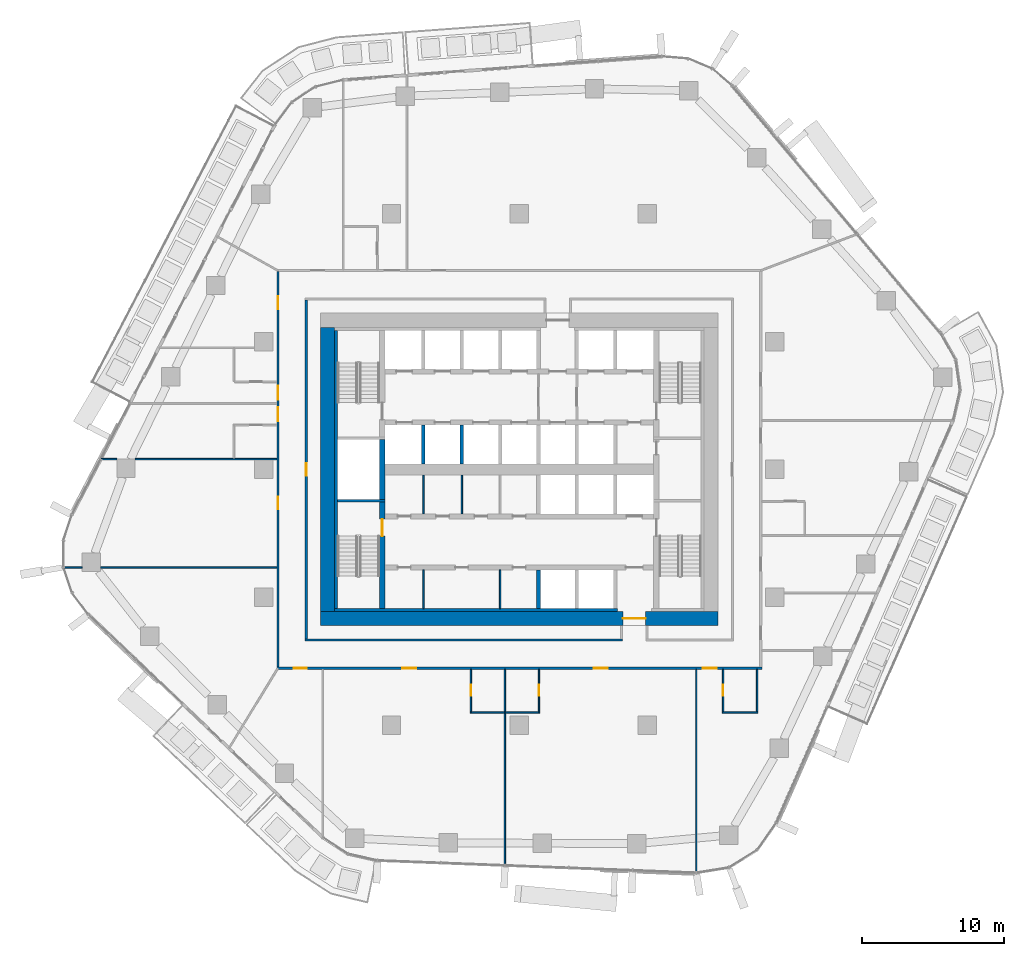
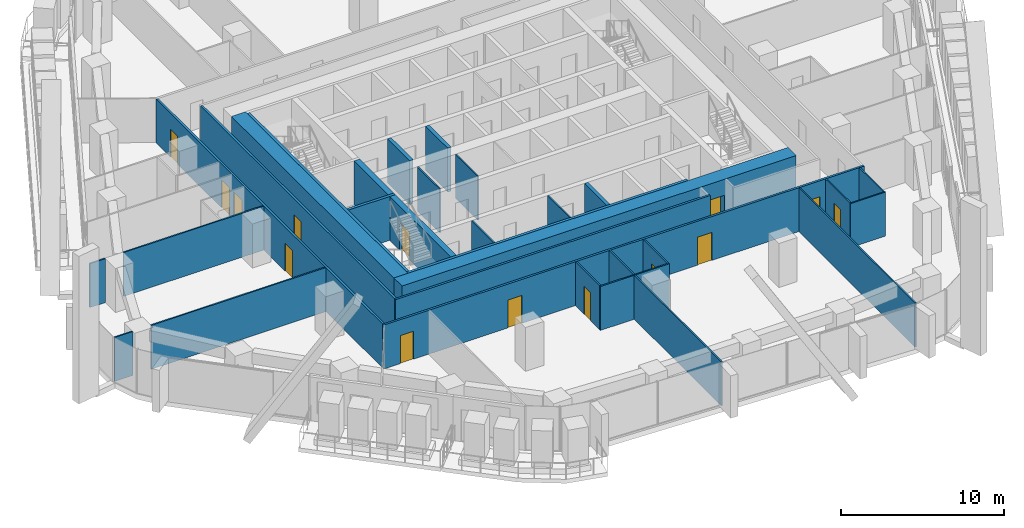
# One storey, part 12 of 24: 31 walls, 14 doors, 14 openings.
"""IFC4 building model written with IfcOpenShell, lengths in metres."""

from ifc_helpers import new_model, si_unit, direction, frame, frame_2d, origin, place, context, subcontext, project, spatial, rectangle, extrude, material, layer, layer_set, type_object, element, fill, save


model = new_model("IFC4")

# Units and contexts
model_context = context("Model", 3, precision=1e-05, world=origin(), true_north=direction((0.0, 1.0)))
body_context = subcontext(model_context, "Body", "Model", "MODEL_VIEW")
ifc_project = project(units=[si_unit("LENGTHUNIT", "METRE"), si_unit("AREAUNIT", "SQUARE_METRE"), si_unit("VOLUMEUNIT", "CUBIC_METRE"), si_unit("PLANEANGLEUNIT", "RADIAN"), si_unit("MASSUNIT", "GRAM", prefix="KILO")], contexts=[model_context])

# Site, building, storey
site_placement = place(None, origin())
site = spatial("IfcSite", under=ifc_project, at=site_placement, CompositionType="ELEMENT")
building_placement = place(site_placement, origin())
building = spatial("IfcBuilding", under=site, at=building_placement, Name="Dongbaek Canopy Tower", CompositionType="ELEMENT")
storey_placement = place(building_placement, frame((0.0, 0.0, 128.5)))
storey = spatial("IfcBuildingStorey", under=building, at=storey_placement, Name="L28", CompositionType="ELEMENT", Elevation=128.5)

# Wall, opening, door
ifc_material_1 = material(Name="Concrete C60/75", Category="concrete")
ifc_layer_1 = layer(ifc_material_1, 1.0)
ifc_layer_set_1 = layer_set([ifc_layer_1], Name="Core outer wall 1000 Concrete C60/75")
wall_type_1 = type_object("IfcWallType", Name="Core outer wall 1000 Concrete C60/75", PredefinedType="SHEAR", material=ifc_layer_set_1)
wall_1_placement = place(storey_placement, frame((14.0, -10.5, 0.0), z_axis=(0.0, 0.0, 1.0), x_axis=(-1.0, 0.0, 0.0)))
wall_1 = element("IfcWall", 1, at=wall_1_placement, inside=storey, type_object=wall_type_1, Name="Core wall", PredefinedType="SHEAR", context=body_context, shape_type="SweptSolid", body=[
    extrude(rectangle(XDim=28.0, YDim=1.0, at=frame_2d((14.0, 0.0))), origin(), (0.0, 0.0, 1.0), 3.300048828125),
])
opening_1_placement = place(wall_1_placement, frame((5.10009765625, 0.0, 0.0)))
opening_1 = element("IfcOpeningElement", 2, at=opening_1_placement, cuts=wall_1, Name="Opening L28-D042", PredefinedType="OPENING", context=body_context, shape_type="SweptSolid", body=[
    extrude(rectangle(XDim=1.60009765625, YDim=2.10009765625, at=frame_2d((0.800048828125, 1.050048828125))), frame((0.0, 0.510009765625, 0.0), z_axis=(0.0, -1.0, 0.0), x_axis=(1.0, 0.0, 0.0)), (0.0, 0.0, 1.0), 1.02001953125),
])
ifc_material_2 = material(Name="Steel", Category="steel")
door_type_1 = type_object("IfcDoorType", Name="Core exit door 1600 x 2100", OperationType="DOUBLE_DOOR_SINGLE_SWING", PredefinedType="DOOR", material=ifc_material_2)
door_1_placement = place(opening_1_placement, origin())
door_1 = element("IfcDoor", 3, at=door_1_placement, inside=storey, type_object=door_type_1, Name="Core exit door", OperationType="DOUBLE_DOOR_SINGLE_SWING", OverallHeight=2.10009765625, OverallWidth=1.60009765625, PredefinedType="DOOR", context=body_context, shape_type="SweptSolid", body=[
    extrude(rectangle(XDim=1.60009765625, YDim=2.10009765625, at=frame_2d((0.800048828125, 1.050048828125))), frame((0.0, 0.02490234375, 0.0), z_axis=(0.0, -1.0, 0.0), x_axis=(1.0, 0.0, 0.0)), (0.0, 0.0, 1.0), 0.050048828125),
])
fill(opening_1, door_1)

# Walls
wall_2_placement = place(storey_placement, frame((-13.5, -10.0, 0.0), z_axis=(0.0, 0.0, 1.0), x_axis=(0.0, 1.0, 0.0)))
element("IfcWall", 4, at=wall_2_placement, inside=storey, type_object=wall_type_1, Name="Core wall", PredefinedType="SHEAR", context=body_context, shape_type="SweptSolid", body=[
    extrude(rectangle(XDim=20.0, YDim=1.0, at=frame_2d((10.0, 0.0))), origin(), (0.0, 0.0, 1.0), 3.300048828125),
])
ifc_material_3 = material(Name="Concrete C60/75", Category="concrete")
ifc_layer_2 = layer(ifc_material_3, 0.199951171875)
ifc_layer_set_2 = layer_set([ifc_layer_2], Name="Core wall lining 200 Concrete C60/75")
wall_type_2 = type_object("IfcWallType", Name="Core wall lining 200 Concrete C60/75", PredefinedType="SHEAR", material=ifc_layer_set_2)
wall_3_placement = place(storey_placement, frame((6.89990234375, -9.89990234375, 0.0), z_axis=(0.0, 0.0, 1.0), x_axis=(-1.0, 0.0, 0.0)))
element("IfcWall", 5, at=wall_3_placement, inside=storey, type_object=wall_type_2, Name="Core wall lining", PredefinedType="SHEAR", context=body_context, shape_type="SweptSolid", body=[
    extrude(rectangle(XDim=19.89990234375, YDim=0.199951171875, at=frame_2d((9.949951171875, 0.0))), origin(), (0.0, 0.0, 1.0), 3.300048828125),
])
wall_4_placement = place(storey_placement, frame((-12.89990234375, -9.800048828125, 0.0), z_axis=(0.0, 0.0, 1.0), x_axis=(0.0, 1.0, 0.0)))
element("IfcWall", 6, at=wall_4_placement, inside=storey, type_object=wall_type_2, Name="Core wall lining", PredefinedType="SHEAR", context=body_context, shape_type="SweptSolid", body=[
    extrude(rectangle(XDim=19.60009765625, YDim=0.199951171875, at=frame_2d((9.800048828125, 0.0))), origin(), (0.0, 0.0, 1.0), 3.300048828125),
])

# Wall, openings, doors
ifc_material_4 = material(Name="Gypsum board partition, steel stud, 2 x 15 mm fire board", Category="steel")
ifc_layer_3 = layer(ifc_material_4, 0.14990234375)
ifc_layer_set_3 = layer_set([ifc_layer_3], Name="Fire-rated partition 150 gypsum board")
wall_type_3 = type_object("IfcWallType", Name="Fire-rated partition 150 gypsum board", PredefinedType="PARTITIONING", material=ifc_layer_set_3)
wall_5_placement = place(storey_placement, frame((17.074951171875, -14.0, 0.0), z_axis=(0.0, 0.0, 1.0), x_axis=(-1.0, 0.0, 0.0)))
wall_5 = element("IfcWall", 7, at=wall_5_placement, inside=storey, type_object=wall_type_3, Name="Corridor partition", PredefinedType="PARTITIONING", context=body_context, shape_type="SweptSolid", body=[
    extrude(rectangle(XDim=34.14990234375, YDim=0.14990234375, at=frame_2d((17.074951171875, 0.0))), origin(), (0.0, 0.0, 1.0), 3.300048828125),
])
opening_2_placement = place(wall_5_placement, frame((32.0458984375, 0.0, 0.0)))
opening_2 = element("IfcOpeningElement", 8, at=opening_2_placement, cuts=wall_5, Name="Opening L28-D002", PredefinedType="OPENING", context=body_context, shape_type="SweptSolid", body=[
    extrude(rectangle(XDim=0.89990234375, YDim=2.10009765625, at=frame_2d((0.449951171875, 1.050048828125))), frame((0.0, 0.0849609375, 0.0), z_axis=(0.0, -1.0, 0.0), x_axis=(1.0, 0.0, 0.0)), (0.0, 0.0, 1.0), 0.169921875),
])
opening_3_placement = place(wall_5_placement, frame((24.3203125, 0.0, 0.0)))
opening_3 = element("IfcOpeningElement", 9, at=opening_3_placement, cuts=wall_5, Name="Opening L28-D004", PredefinedType="OPENING", context=body_context, shape_type="SweptSolid", body=[
    extrude(rectangle(XDim=1.0, YDim=2.10009765625, at=frame_2d((0.5, 1.050048828125))), frame((0.0, 0.0849609375, 0.0), z_axis=(0.0, -1.0, 0.0), x_axis=(1.0, 0.0, 0.0)), (0.0, 0.0, 1.0), 0.169921875),
])
opening_4_placement = place(wall_5_placement, frame((10.847412109375, 0.0, 0.0)))
opening_4 = element("IfcOpeningElement", 10, at=opening_4_placement, cuts=wall_5, Name="Opening L28-D006", PredefinedType="OPENING", context=body_context, shape_type="SweptSolid", body=[
    extrude(rectangle(XDim=1.0, YDim=2.10009765625, at=frame_2d((0.5, 1.050048828125))), frame((0.0, 0.0849609375, 0.0), z_axis=(0.0, -1.0, 0.0), x_axis=(1.0, 0.0, 0.0)), (0.0, 0.0, 1.0), 0.169921875),
])
opening_5_placement = place(wall_5_placement, frame((3.171630859375, 0.0, 0.0)))
opening_5 = element("IfcOpeningElement", 11, at=opening_5_placement, cuts=wall_5, Name="Opening L28-D008", PredefinedType="OPENING", context=body_context, shape_type="SweptSolid", body=[
    extrude(rectangle(XDim=1.0, YDim=2.10009765625, at=frame_2d((0.5, 1.050048828125))), frame((0.0, 0.0849609375, 0.0), z_axis=(0.0, -1.0, 0.0), x_axis=(1.0, 0.0, 0.0)), (0.0, 0.0, 1.0), 0.169921875),
])
ifc_material_5 = material(Name="Timber veneered door leaf", Category="wood")
door_type_2 = type_object("IfcDoorType", Name="Guest room door 1000 x 2100", OperationType="SINGLE_SWING_LEFT", PredefinedType="DOOR", material=ifc_material_5)
door_2_placement = place(opening_3_placement, origin())
door_2 = element("IfcDoor", 12, at=door_2_placement, inside=storey, type_object=door_type_2, Name="Door L28-D004", OperationType="SINGLE_SWING_LEFT", OverallHeight=2.10009765625, OverallWidth=1.0, PredefinedType="DOOR", context=body_context, shape_type="SweptSolid", body=[
    extrude(rectangle(XDim=1.0, YDim=2.10009765625, at=frame_2d((0.5, 1.050048828125))), frame((0.0, 0.02490234375, 0.0), z_axis=(0.0, -1.0, 0.0), x_axis=(1.0, 0.0, 0.0)), (0.0, 0.0, 1.0), 0.050048828125),
])
fill(opening_3, door_2)
door_3_placement = place(opening_4_placement, origin())
door_3 = element("IfcDoor", 13, at=door_3_placement, inside=storey, type_object=door_type_2, Name="Door L28-D006", OperationType="SINGLE_SWING_RIGHT", OverallHeight=2.10009765625, OverallWidth=1.0, PredefinedType="DOOR", context=body_context, shape_type="SweptSolid", body=[
    extrude(rectangle(XDim=1.0, YDim=2.10009765625, at=frame_2d((0.5, 1.050048828125))), frame((0.0, 0.02490234375, 0.0), z_axis=(0.0, -1.0, 0.0), x_axis=(1.0, 0.0, 0.0)), (0.0, 0.0, 1.0), 0.050048828125),
])
fill(opening_4, door_3)
door_4_placement = place(opening_5_placement, origin())
door_4 = element("IfcDoor", 14, at=door_4_placement, inside=storey, type_object=door_type_2, Name="Door L28-D008", OperationType="SINGLE_SWING_LEFT", OverallHeight=2.10009765625, OverallWidth=1.0, PredefinedType="DOOR", context=body_context, shape_type="SweptSolid", body=[
    extrude(rectangle(XDim=1.0, YDim=2.10009765625, at=frame_2d((0.5, 1.050048828125))), frame((0.0, 0.02490234375, 0.0), z_axis=(0.0, -1.0, 0.0), x_axis=(1.0, 0.0, 0.0)), (0.0, 0.0, 1.0), 0.050048828125),
])
fill(opening_5, door_4)
ifc_material_6 = material(Name="Timber veneered door leaf", Category="wood")
door_type_3 = type_object("IfcDoorType", Name="Room door 900 x 2100", OperationType="SINGLE_SWING_LEFT", PredefinedType="DOOR", material=ifc_material_6)
door_5_placement = place(opening_2_placement, origin())
door_5 = element("IfcDoor", 15, at=door_5_placement, inside=storey, type_object=door_type_3, Name="Door L28-D002", OperationType="SINGLE_SWING_RIGHT", OverallHeight=2.10009765625, OverallWidth=0.89990234375, PredefinedType="DOOR", context=body_context, shape_type="SweptSolid", body=[
    extrude(rectangle(XDim=0.89990234375, YDim=2.10009765625, at=frame_2d((0.449951171875, 1.050048828125))), frame((0.0, 0.02490234375, 0.0), z_axis=(0.0, -1.0, 0.0), x_axis=(1.0, 0.0, 0.0)), (0.0, 0.0, 1.0), 0.050048828125),
])
fill(opening_2, door_5)

# Wall
wall_6_placement = place(storey_placement, frame((-15.074951171875, -12.0, 0.0), z_axis=(0.0, 0.0, 1.0), x_axis=(1.0, 0.0, 0.0)))
element("IfcWall", 16, at=wall_6_placement, inside=storey, type_object=wall_type_3, Name="Corridor partition", PredefinedType="PARTITIONING", context=body_context, shape_type="SweptSolid", body=[
    extrude(rectangle(XDim=22.349853515625, YDim=0.14990234375, at=frame_2d((11.1748046875, 0.0))), origin(), (0.0, 0.0, 1.0), 3.300048828125),
])

# Wall, opening, door
wall_7_placement = place(storey_placement, frame((-15.0, 11.925048828125, 0.0), z_axis=(0.0, 0.0, 1.0), x_axis=(0.0, -1.0, 0.0)))
wall_7 = element("IfcWall", 17, at=wall_7_placement, inside=storey, type_object=wall_type_3, Name="Corridor partition", PredefinedType="PARTITIONING", context=body_context, shape_type="SweptSolid", body=[
    extrude(rectangle(XDim=23.85009765625, YDim=0.14990234375, at=frame_2d((11.925048828125, 0.0))), origin(), (0.0, 0.0, 1.0), 3.300048828125),
])
opening_6_placement = place(wall_7_placement, frame((11.47509765625, 0.0, 0.0)))
opening_6 = element("IfcOpeningElement", 18, at=opening_6_placement, cuts=wall_7, Name="Opening L28-D023", PredefinedType="OPENING", context=body_context, shape_type="SweptSolid", body=[
    extrude(rectangle(XDim=0.89990234375, YDim=2.10009765625, at=frame_2d((0.449951171875, 1.050048828125))), frame((0.0, 0.0849609375, 0.0), z_axis=(0.0, -1.0, 0.0), x_axis=(1.0, 0.0, 0.0)), (0.0, 0.0, 1.0), 0.169921875),
])
door_6_placement = place(opening_6_placement, origin())
door_6 = element("IfcDoor", 19, at=door_6_placement, inside=storey, type_object=door_type_3, Name="Door L28-D023", OperationType="SINGLE_SWING_RIGHT", OverallHeight=2.10009765625, OverallWidth=0.89990234375, PredefinedType="DOOR", context=body_context, shape_type="SweptSolid", body=[
    extrude(rectangle(XDim=0.89990234375, YDim=2.10009765625, at=frame_2d((0.449951171875, 1.050048828125))), frame((0.0, 0.02490234375, 0.0), z_axis=(0.0, -1.0, 0.0), x_axis=(1.0, 0.0, 0.0)), (0.0, 0.0, 1.0), 0.050048828125),
])
fill(opening_6, door_6)

# Wall, openings, doors
wall_8_placement = place(storey_placement, frame((-17.0, -13.925048828125, 0.0), z_axis=(0.0, 0.0, 1.0), x_axis=(0.0, 1.0, 0.0)))
wall_8 = element("IfcWall", 20, at=wall_8_placement, inside=storey, type_object=wall_type_3, Name="Corridor partition", PredefinedType="PARTITIONING", context=body_context, shape_type="SweptSolid", body=[
    extrude(rectangle(XDim=27.85009765625, YDim=0.14990234375, at=frame_2d((13.925048828125, 0.0))), origin(), (0.0, 0.0, 1.0), 3.300048828125),
])
opening_7_placement = place(wall_8_placement, frame((11.10693359375, 0.0, 0.0)))
opening_7 = element("IfcOpeningElement", 21, at=opening_7_placement, cuts=wall_8, Name="Opening L28-D001", PredefinedType="OPENING", context=body_context, shape_type="SweptSolid", body=[
    extrude(rectangle(XDim=0.89990234375, YDim=2.10009765625, at=frame_2d((0.449951171875, 1.050048828125))), frame((0.0, 0.0849609375, 0.0), z_axis=(0.0, -1.0, 0.0), x_axis=(1.0, 0.0, 0.0)), (0.0, 0.0, 1.0), 0.169921875),
])
opening_8_placement = place(wall_8_placement, frame((25.2041015625, 0.0, 0.0)))
opening_8 = element("IfcOpeningElement", 22, at=opening_8_placement, cuts=wall_8, Name="Opening L28-D018", PredefinedType="OPENING", context=body_context, shape_type="SweptSolid", body=[
    extrude(rectangle(XDim=0.89990234375, YDim=2.10009765625, at=frame_2d((0.449951171875, 1.050048828125))), frame((0.0, 0.0849609375, 0.0), z_axis=(0.0, -1.0, 0.0), x_axis=(1.0, 0.0, 0.0)), (0.0, 0.0, 1.0), 0.169921875),
])
opening_9_placement = place(wall_8_placement, frame((18.833251953125, 0.0, 0.0)))
opening_9 = element("IfcOpeningElement", 23, at=opening_9_placement, cuts=wall_8, Name="Opening L28-D020", PredefinedType="OPENING", context=body_context, shape_type="SweptSolid", body=[
    extrude(rectangle(XDim=1.0, YDim=2.10009765625, at=frame_2d((0.5, 1.050048828125))), frame((0.0, 0.0849609375, 0.0), z_axis=(0.0, -1.0, 0.0), x_axis=(1.0, 0.0, 0.0)), (0.0, 0.0, 1.0), 0.169921875),
])
opening_10_placement = place(wall_8_placement, frame((17.31005859375, 0.0, 0.0)))
opening_10 = element("IfcOpeningElement", 24, at=opening_10_placement, cuts=wall_8, Name="Opening L28-D022", PredefinedType="OPENING", context=body_context, shape_type="SweptSolid", body=[
    extrude(rectangle(XDim=1.0, YDim=2.10009765625, at=frame_2d((0.5, 1.050048828125))), frame((0.0, 0.0849609375, 0.0), z_axis=(0.0, -1.0, 0.0), x_axis=(1.0, 0.0, 0.0)), (0.0, 0.0, 1.0), 0.169921875),
])
door_7_placement = place(opening_9_placement, origin())
door_7 = element("IfcDoor", 25, at=door_7_placement, inside=storey, type_object=door_type_2, Name="Door L28-D020", OperationType="SINGLE_SWING_RIGHT", OverallHeight=2.10009765625, OverallWidth=1.0, PredefinedType="DOOR", context=body_context, shape_type="SweptSolid", body=[
    extrude(rectangle(XDim=1.0, YDim=2.10009765625, at=frame_2d((0.5, 1.050048828125))), frame((0.0, 0.02490234375, 0.0), z_axis=(0.0, -1.0, 0.0), x_axis=(1.0, 0.0, 0.0)), (0.0, 0.0, 1.0), 0.050048828125),
])
fill(opening_9, door_7)
door_8_placement = place(opening_10_placement, origin())
door_8 = element("IfcDoor", 26, at=door_8_placement, inside=storey, type_object=door_type_2, Name="Door L28-D022", OperationType="SINGLE_SWING_LEFT", OverallHeight=2.10009765625, OverallWidth=1.0, PredefinedType="DOOR", context=body_context, shape_type="SweptSolid", body=[
    extrude(rectangle(XDim=1.0, YDim=2.10009765625, at=frame_2d((0.5, 1.050048828125))), frame((0.0, 0.02490234375, 0.0), z_axis=(0.0, -1.0, 0.0), x_axis=(1.0, 0.0, 0.0)), (0.0, 0.0, 1.0), 0.050048828125),
])
fill(opening_10, door_8)
door_9_placement = place(opening_7_placement, origin())
door_9 = element("IfcDoor", 27, at=door_9_placement, inside=storey, type_object=door_type_3, Name="Door L28-D001", OperationType="SINGLE_SWING_RIGHT", OverallHeight=2.10009765625, OverallWidth=0.89990234375, PredefinedType="DOOR", context=body_context, shape_type="SweptSolid", body=[
    extrude(rectangle(XDim=0.89990234375, YDim=2.10009765625, at=frame_2d((0.449951171875, 1.050048828125))), frame((0.0, 0.02490234375, 0.0), z_axis=(0.0, -1.0, 0.0), x_axis=(1.0, 0.0, 0.0)), (0.0, 0.0, 1.0), 0.050048828125),
])
fill(opening_7, door_9)
door_10_placement = place(opening_8_placement, origin())
door_10 = element("IfcDoor", 28, at=door_10_placement, inside=storey, type_object=door_type_3, Name="Door L28-D018", OperationType="SINGLE_SWING_LEFT", OverallHeight=2.10009765625, OverallWidth=0.89990234375, PredefinedType="DOOR", context=body_context, shape_type="SweptSolid", body=[
    extrude(rectangle(XDim=0.89990234375, YDim=2.10009765625, at=frame_2d((0.449951171875, 1.050048828125))), frame((0.0, 0.02490234375, 0.0), z_axis=(0.0, -1.0, 0.0), x_axis=(1.0, 0.0, 0.0)), (0.0, 0.0, 1.0), 0.050048828125),
])
fill(opening_8, door_10)

# Walls
ifc_material_7 = material(Name="Concrete C40/50", Category="concrete")
ifc_layer_4 = layer(ifc_material_7, 0.25)
ifc_layer_set_4 = layer_set([ifc_layer_4], Name="Lift shaft wall 250 Concrete C40/50")
wall_type_4 = type_object("IfcWallType", Name="Lift shaft wall 250 Concrete C40/50", PredefinedType="SOLIDWALL", material=ifc_layer_set_4)
for number, where, z_axis, x_axis, name in (
    (29, (1.35009765625, -9.800048828125, 0.0), (0.0, 0.0, 1.0), (0.0, 1.0, 0.0), "Lift shaft wall"),
    (30, (-4.050048828125, 0.39990234375, 0.0), (0.0, 0.0, 1.0), (0.0, 1.0, 0.0), "Lift shaft wall"),
    (31, (-6.75, 0.39990234375, 0.0), (0.0, 0.0, 1.0), (0.0, 1.0, 0.0), "Lift shaft wall"),
):
    element("IfcWall", number, at=place(storey_placement, frame(where, z_axis=z_axis, x_axis=x_axis)), inside=storey, type_object=wall_type_4, Name=name, PredefinedType="SOLIDWALL", context=body_context, shape_type="SweptSolid", body=[
        extrude(rectangle(XDim=2.72509765625, YDim=0.25, at=frame_2d((1.362548828125, 0.0))), origin(), (0.0, 0.0, 1.0), 3.300048828125),
    ])
ifc_material_8 = material(Name="Gypsum board partition, steel stud, 2 x 12.5 mm board", Category="steel")
ifc_layer_5 = layer(ifc_material_8, 0.10009765625)
ifc_layer_set_5 = layer_set([ifc_layer_5], Name="Partition 100 gypsum board")
wall_type_5 = type_object("IfcWallType", Name="Partition 100 gypsum board", PredefinedType="PARTITIONING", material=ifc_layer_set_5)
wall_9_placement = place(storey_placement, frame((-3.4609375, -17.10009765625, 0.0), z_axis=(0.0, 0.0, 1.0), x_axis=(1.0, 0.0, 0.0)))
element("IfcWall", 32, at=wall_9_placement, inside=storey, type_object=wall_type_5, Name="Partition", PredefinedType="PARTITIONING", context=body_context, shape_type="SweptSolid", body=[
    extrude(rectangle(XDim=4.89990234375, YDim=0.10009765625, at=frame_2d((2.449951171875, 0.0))), origin(), (0.0, 0.0, 1.0), 3.300048828125),
])
wall_10_placement = place(storey_placement, frame((14.30029296875, -17.10009765625, 0.0), z_axis=(0.0, 0.0, 1.0), x_axis=(1.0, 0.0, 0.0)))
element("IfcWall", 33, at=wall_10_placement, inside=storey, type_object=wall_type_5, Name="Partition", PredefinedType="PARTITIONING", context=body_context, shape_type="SweptSolid", body=[
    extrude(rectangle(XDim=2.5, YDim=0.10009765625, at=frame_2d((1.25, 0.0))), origin(), (0.0, 0.0, 1.0), 3.300048828125),
])
wall_11_placement = place(storey_placement, frame((-32.076171875, -6.89599609375, 0.0), z_axis=(0.0, 0.0, 1.0), x_axis=(1.0, 0.0, 0.0)))
element("IfcWall", 34, at=wall_11_placement, inside=storey, type_object=wall_type_5, Name="Partition", PredefinedType="PARTITIONING", context=body_context, shape_type="SweptSolid", body=[
    extrude(rectangle(XDim=1.30126953125, YDim=0.10009765625, at=frame_2d((0.650634765625, 0.0))), origin(), (0.0, 0.0, 1.0), 3.300048828125),
])
wall_12_placement = place(storey_placement, frame((-29.47509765625, -6.89599609375, 0.0), z_axis=(0.0, 0.0, 1.0), x_axis=(1.0, 0.0, 0.0)))
element("IfcWall", 35, at=wall_12_placement, inside=storey, type_object=wall_type_5, Name="Partition", PredefinedType="PARTITIONING", context=body_context, shape_type="SweptSolid", body=[
    extrude(rectangle(XDim=12.400146484375, YDim=0.10009765625, at=frame_2d((6.2001953125, 0.0))), origin(), (0.0, 0.0, 1.0), 3.300048828125),
])
wall_13_placement = place(storey_placement, frame((-29.445556640625, 0.722900390625, 0.0), z_axis=(0.0, 0.0, 1.0), x_axis=(1.0, 0.0, 0.0)))
element("IfcWall", 36, at=wall_13_placement, inside=storey, type_object=wall_type_5, Name="Partition", PredefinedType="PARTITIONING", context=body_context, shape_type="SweptSolid", body=[
    extrude(rectangle(XDim=1.1025390625, YDim=0.10009765625, at=frame_2d((0.55126953125, 0.0))), origin(), (0.0, 0.0, 1.0), 3.300048828125),
])
wall_14_placement = place(storey_placement, frame((-27.04296875, 0.722900390625, 0.0), z_axis=(0.0, 0.0, 1.0), x_axis=(1.0, 0.0, 0.0)))
element("IfcWall", 37, at=wall_14_placement, inside=storey, type_object=wall_type_5, Name="Partition", PredefinedType="PARTITIONING", context=body_context, shape_type="SweptSolid", body=[
    extrude(rectangle(XDim=9.968017578125, YDim=0.10009765625, at=frame_2d((4.98388671875, 0.0))), origin(), (0.0, 0.0, 1.0), 3.300048828125),
])
wall_15_placement = place(storey_placement, frame((16.75, -17.050048828125, 0.0), z_axis=(0.0, 0.0, 1.0), x_axis=(0.0, 1.0, 0.0)))
element("IfcWall", 38, at=wall_15_placement, inside=storey, type_object=wall_type_5, Name="Partition", PredefinedType="PARTITIONING", context=body_context, shape_type="SweptSolid", body=[
    extrude(rectangle(XDim=2.97509765625, YDim=0.10009765625, at=frame_2d((1.487548828125, 0.0))), origin(), (0.0, 0.0, 1.0), 3.300048828125),
])

# Wall, opening, door
wall_16_placement = place(storey_placement, frame((14.35009765625, -14.074951171875, 0.0), z_axis=(0.0, 0.0, 1.0), x_axis=(0.0, -1.0, 0.0)))
wall_16 = element("IfcWall", 39, at=wall_16_placement, inside=storey, type_object=wall_type_5, Name="Partition", PredefinedType="PARTITIONING", context=body_context, shape_type="SweptSolid", body=[
    extrude(rectangle(XDim=3.025146484375, YDim=0.10009765625, at=frame_2d((1.5126953125, 0.0))), origin(), (0.0, 0.0, 1.0), 3.300048828125),
])
opening_11_placement = place(wall_16_placement, frame((1.074951171875, 0.0, 0.0)))
opening_11 = element("IfcOpeningElement", 40, at=opening_11_placement, cuts=wall_16, Name="Opening L28-D007", PredefinedType="OPENING", context=body_context, shape_type="SweptSolid", body=[
    extrude(rectangle(XDim=0.800048828125, YDim=2.10009765625, at=frame_2d((0.39990234375, 1.050048828125))), frame((0.0, 0.06005859375, 0.0), z_axis=(0.0, -1.0, 0.0), x_axis=(1.0, 0.0, 0.0)), (0.0, 0.0, 1.0), 0.1201171875),
])
ifc_material_9 = material(Name="Timber veneered door leaf", Category="wood")
door_type_4 = type_object("IfcDoorType", Name="En-suite door 800 x 2100", OperationType="SINGLE_SWING_LEFT", PredefinedType="DOOR", material=ifc_material_9)
door_11_placement = place(opening_11_placement, origin())
door_11 = element("IfcDoor", 41, at=door_11_placement, inside=storey, type_object=door_type_4, Name="Door L28-D007", OperationType="SINGLE_SWING_RIGHT", OverallHeight=2.10009765625, OverallWidth=0.800048828125, PredefinedType="DOOR", context=body_context, shape_type="SweptSolid", body=[
    extrude(rectangle(XDim=0.800048828125, YDim=2.10009765625, at=frame_2d((0.39990234375, 1.050048828125))), frame((0.0, 0.02490234375, 0.0), z_axis=(0.0, -1.0, 0.0), x_axis=(1.0, 0.0, 0.0)), (0.0, 0.0, 1.0), 0.050048828125),
])
fill(opening_11, door_11)

# Wall
wall_17_placement = place(storey_placement, frame((12.4560546875, -28.377685546875, 0.0), z_axis=(0.0, 0.0, 1.0), x_axis=(0.0, 1.0, 0.0)))
element("IfcWall", 42, at=wall_17_placement, inside=storey, type_object=wall_type_5, Name="Partition", PredefinedType="PARTITIONING", context=body_context, shape_type="SweptSolid", body=[
    extrude(rectangle(XDim=14.302734375, YDim=0.10009765625, at=frame_2d((7.1513671875, 0.0))), origin(), (0.0, 0.0, 1.0), 3.300048828125),
])

# Wall, opening, door
wall_18_placement = place(storey_placement, frame((1.388916015625, -17.050048828125, 0.0), z_axis=(0.0, 0.0, 1.0), x_axis=(0.0, 1.0, 0.0)))
wall_18 = element("IfcWall", 43, at=wall_18_placement, inside=storey, type_object=wall_type_5, Name="Partition", PredefinedType="PARTITIONING", context=body_context, shape_type="SweptSolid", body=[
    extrude(rectangle(XDim=2.97509765625, YDim=0.10009765625, at=frame_2d((1.487548828125, 0.0))), origin(), (0.0, 0.0, 1.0), 3.300048828125),
])
opening_12_placement = place(wall_18_placement, frame((1.10009765625, 0.0, 0.0)))
opening_12 = element("IfcOpeningElement", 44, at=opening_12_placement, cuts=wall_18, Name="Opening L28-D005", PredefinedType="OPENING", context=body_context, shape_type="SweptSolid", body=[
    extrude(rectangle(XDim=0.800048828125, YDim=2.10009765625, at=frame_2d((0.39990234375, 1.050048828125))), frame((0.0, 0.06005859375, 0.0), z_axis=(0.0, -1.0, 0.0), x_axis=(1.0, 0.0, 0.0)), (0.0, 0.0, 1.0), 0.1201171875),
])
door_12_placement = place(opening_12_placement, origin())
door_12 = element("IfcDoor", 45, at=door_12_placement, inside=storey, type_object=door_type_4, Name="Door L28-D005", OperationType="SINGLE_SWING_LEFT", OverallHeight=2.10009765625, OverallWidth=0.800048828125, PredefinedType="DOOR", context=body_context, shape_type="SweptSolid", body=[
    extrude(rectangle(XDim=0.800048828125, YDim=2.10009765625, at=frame_2d((0.39990234375, 1.050048828125))), frame((0.0, 0.02490234375, 0.0), z_axis=(0.0, -1.0, 0.0), x_axis=(1.0, 0.0, 0.0)), (0.0, 0.0, 1.0), 0.050048828125),
])
fill(opening_12, door_12)

# Walls
wall_19_placement = place(storey_placement, frame((-1.010986328125, -27.85791015625, 0.0), z_axis=(0.0, 0.0, 1.0), x_axis=(0.0, 1.0, 0.0)))
element("IfcWall", 46, at=wall_19_placement, inside=storey, type_object=wall_type_5, Name="Partition", PredefinedType="PARTITIONING", context=body_context, shape_type="SweptSolid", body=[
    extrude(rectangle(XDim=10.7080078125, YDim=0.10009765625, at=frame_2d((5.35400390625, 0.0))), origin(), (0.0, 0.0, 1.0), 3.300048828125),
])
wall_20_placement = place(storey_placement, frame((-1.010986328125, -17.050048828125, 0.0), z_axis=(0.0, 0.0, 1.0), x_axis=(0.0, 1.0, 0.0)))
element("IfcWall", 47, at=wall_20_placement, inside=storey, type_object=wall_type_5, Name="Partition", PredefinedType="PARTITIONING", context=body_context, shape_type="SweptSolid", body=[
    extrude(rectangle(XDim=2.97509765625, YDim=0.10009765625, at=frame_2d((1.487548828125, 0.0))), origin(), (0.0, 0.0, 1.0), 3.300048828125),
])

# Wall, opening, door
wall_21_placement = place(storey_placement, frame((-3.410888671875, -14.074951171875, 0.0), z_axis=(0.0, 0.0, 1.0), x_axis=(0.0, -1.0, 0.0)))
wall_21 = element("IfcWall", 48, at=wall_21_placement, inside=storey, type_object=wall_type_5, Name="Partition", PredefinedType="PARTITIONING", context=body_context, shape_type="SweptSolid", body=[
    extrude(rectangle(XDim=2.97509765625, YDim=0.10009765625, at=frame_2d((1.487548828125, 0.0))), origin(), (0.0, 0.0, 1.0), 3.300048828125),
])
opening_13_placement = place(wall_21_placement, frame((1.074951171875, 0.0, 0.0)))
opening_13 = element("IfcOpeningElement", 49, at=opening_13_placement, cuts=wall_21, Name="Opening L28-D003", PredefinedType="OPENING", context=body_context, shape_type="SweptSolid", body=[
    extrude(rectangle(XDim=0.800048828125, YDim=2.10009765625, at=frame_2d((0.39990234375, 1.050048828125))), frame((0.0, 0.06005859375, 0.0), z_axis=(0.0, -1.0, 0.0), x_axis=(1.0, 0.0, 0.0)), (0.0, 0.0, 1.0), 0.1201171875),
])
door_13_placement = place(opening_13_placement, origin())
door_13 = element("IfcDoor", 50, at=door_13_placement, inside=storey, type_object=door_type_4, Name="Door L28-D003", OperationType="SINGLE_SWING_RIGHT", OverallHeight=2.10009765625, OverallWidth=0.800048828125, PredefinedType="DOOR", context=body_context, shape_type="SweptSolid", body=[
    extrude(rectangle(XDim=0.800048828125, YDim=2.10009765625, at=frame_2d((0.39990234375, 1.050048828125))), frame((0.0, 0.02490234375, 0.0), z_axis=(0.0, -1.0, 0.0), x_axis=(1.0, 0.0, 0.0)), (0.0, 0.0, 1.0), 0.050048828125),
])
fill(opening_13, door_13)

# Walls
for number, where, z_axis, x_axis, name in (
    (51, (-1.35009765625, -9.800048828125, 0.0), (0.0, 0.0, 1.0), (0.0, 1.0, 0.0), "Core partition"),
    (52, (-4.050048828125, -3.125, 0.0), (0.0, 0.0, 1.0), (0.0, 1.0, 0.0), "Core partition"),
    (53, (-6.75, -9.800048828125, 0.0), (0.0, 0.0, 1.0), (0.0, 1.0, 0.0), "Core partition"),
    (54, (-6.75, -3.125, 0.0), (0.0, 0.0, 1.0), (0.0, 1.0, 0.0), "Core partition"),
):
    element("IfcWall", number, at=place(storey_placement, frame(where, z_axis=z_axis, x_axis=x_axis)), inside=storey, type_object=wall_type_5, Name=name, PredefinedType="PARTITIONING", context=body_context, shape_type="SweptSolid", body=[
        extrude(rectangle(XDim=2.72509765625, YDim=0.10009765625, at=frame_2d((1.362548828125, 0.0))), origin(), (0.0, 0.0, 1.0), 3.300048828125),
    ])
ifc_material_10 = material(Name="Concrete C60/75", Category="concrete")
ifc_layer_6 = layer(ifc_material_10, 0.199951171875)
ifc_layer_set_6 = layer_set([ifc_layer_6], Name="Riser wall 200 Concrete C60/75")
wall_type_6 = type_object("IfcWallType", Name="Riser wall 200 Concrete C60/75", PredefinedType="SHEAR", material=ifc_layer_set_6)
wall_22_placement = place(storey_placement, frame((-9.449951171875, -2.199951171875, 0.0), z_axis=(0.0, 0.0, 1.0), x_axis=(-1.0, 0.0, 0.0)))
element("IfcWall", 55, at=wall_22_placement, inside=storey, type_object=wall_type_6, Name="Riser wall", PredefinedType="SHEAR", context=body_context, shape_type="SweptSolid", body=[
    extrude(rectangle(XDim=3.35009765625, YDim=0.199951171875, at=frame_2d((1.675048828125, 0.0))), origin(), (0.0, 0.0, 1.0), 3.300048828125),
])

# Wall, opening, door
ifc_material_11 = material(Name="Concrete C60/75", Category="concrete")
ifc_layer_7 = layer(ifc_material_11, 0.39990234375)
ifc_layer_set_7 = layer_set([ifc_layer_7], Name="Stair wall 400 Concrete C60/75")
wall_type_7 = type_object("IfcWallType", Name="Stair wall 400 Concrete C60/75", PredefinedType="SHEAR", material=ifc_layer_set_7)
wall_23_placement = place(storey_placement, frame((-9.64990234375, -9.800048828125, 0.0), z_axis=(0.0, 0.0, 1.0), x_axis=(0.0, 1.0, 0.0)))
wall_23 = element("IfcWall", 56, at=wall_23_placement, inside=storey, type_object=wall_type_7, Name="Stair wall", PredefinedType="SHEAR", context=body_context, shape_type="SweptSolid", body=[
    extrude(rectangle(XDim=7.5, YDim=0.39990234375, at=frame_2d((3.75, 0.0))), origin(), (0.0, 0.0, 1.0), 3.300048828125),
])
opening_14_placement = place(wall_23_placement, frame((5.10009765625, 0.0, 0.0)))
opening_14 = element("IfcOpeningElement", 57, at=opening_14_placement, cuts=wall_23, Name="Opening L28-D054", PredefinedType="OPENING", context=body_context, shape_type="SweptSolid", body=[
    extrude(rectangle(XDim=1.199951171875, YDim=2.10009765625, at=frame_2d((0.60009765625, 1.050048828125))), frame((0.0, 0.2099609375, 0.0), z_axis=(0.0, -1.0, 0.0), x_axis=(1.0, 0.0, 0.0)), (0.0, 0.0, 1.0), 0.419921875),
])
ifc_material_12 = material(Name="Steel", Category="steel")
door_type_5 = type_object("IfcDoorType", Name="Stair door 1200 x 2100", OperationType="SINGLE_SWING_LEFT", PredefinedType="DOOR", material=ifc_material_12)
door_14_placement = place(opening_14_placement, origin())
door_14 = element("IfcDoor", 58, at=door_14_placement, inside=storey, type_object=door_type_5, Name="Stair D door", OperationType="SINGLE_SWING_LEFT", OverallHeight=2.10009765625, OverallWidth=1.199951171875, PredefinedType="DOOR", context=body_context, shape_type="SweptSolid", body=[
    extrude(rectangle(XDim=1.199951171875, YDim=2.10009765625, at=frame_2d((0.60009765625, 1.050048828125))), frame((0.0, 0.02490234375, 0.0), z_axis=(0.0, -1.0, 0.0), x_axis=(1.0, 0.0, 0.0)), (0.0, 0.0, 1.0), 0.050048828125),
])
fill(opening_14, door_14)

# Wall
wall_24_placement = place(storey_placement, frame((-9.64990234375, -2.10009765625, 0.0), z_axis=(0.0, 0.0, 1.0), x_axis=(0.0, 1.0, 0.0)))
element("IfcWall", 59, at=wall_24_placement, inside=storey, type_object=wall_type_7, Name="Stair wall", PredefinedType="SHEAR", context=body_context, shape_type="SweptSolid", body=[
    extrude(rectangle(XDim=4.2001953125, YDim=0.39990234375, at=frame_2d((2.10009765625, 0.0))), origin(), (0.0, 0.0, 1.0), 3.300048828125),
])

save(model, "model.ifc")
